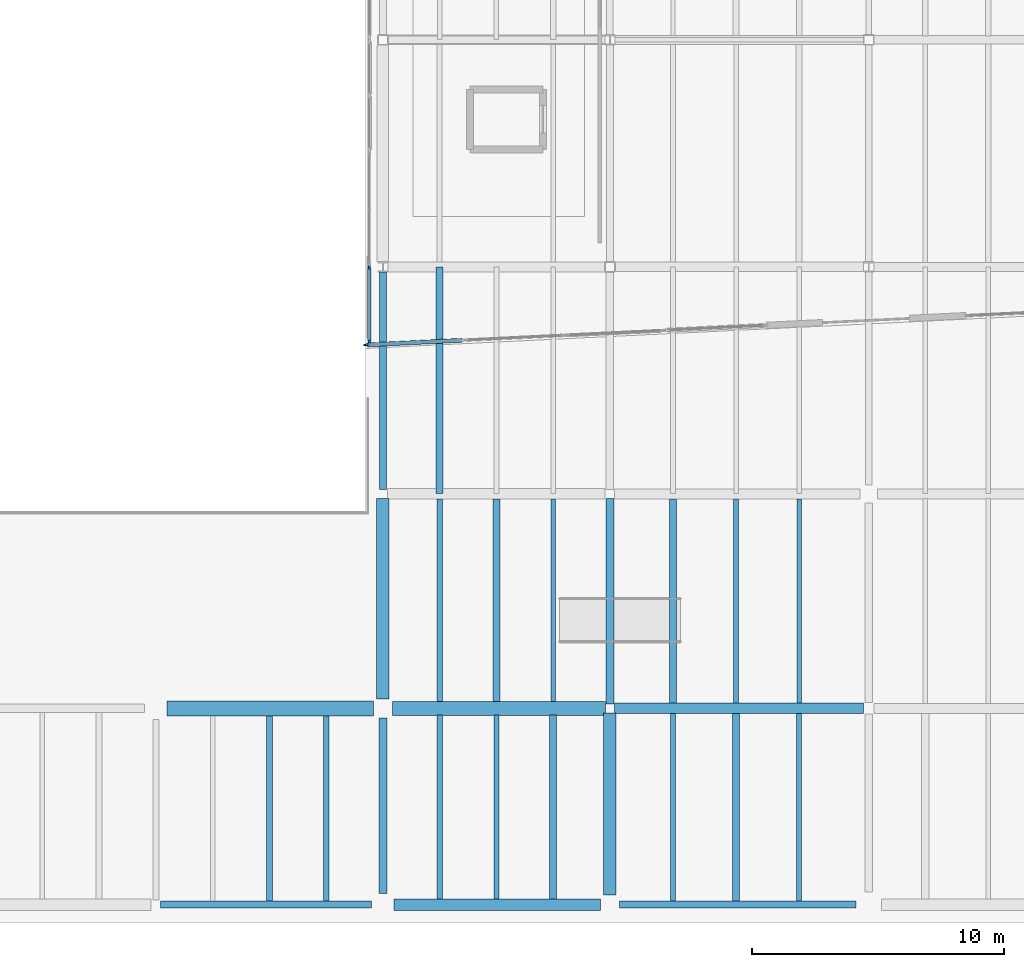
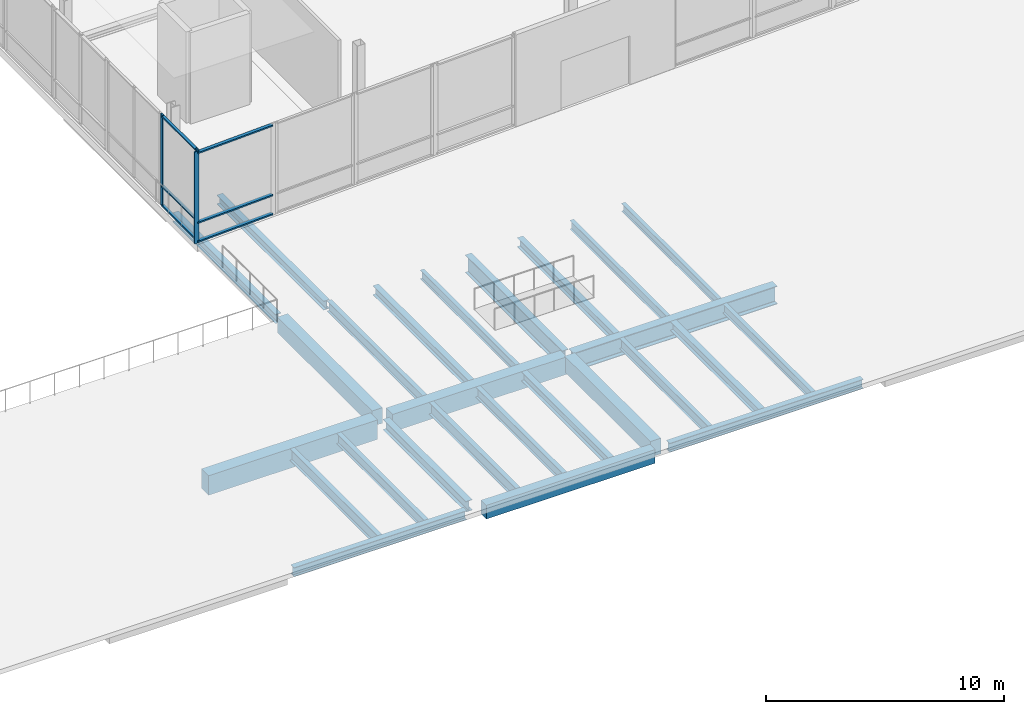
# One storey, part 20 of 88: 26 beams, 9 members, 2 elements without a shape of their own.
"""IFC4 building model written with IfcOpenShell, lengths in metres."""

from ifc_helpers import new_model, si_unit, direction, frame, origin, origin_2d, place, context, subcontext, project, spatial, rectangle, i_section, extrude, material, material_profile, profile_set, type_object, element, aggregate, save


model = new_model("IFC4")

# Units and contexts
model_context = context("Model", 3, precision=1e-05, world=origin(), true_north=direction((0.0, 1.0)))
body_context = subcontext(model_context, "Body", "Model", "MODEL_VIEW")
ifc_project = project(units=[si_unit("LENGTHUNIT", "METRE"), si_unit("AREAUNIT", "SQUARE_METRE"), si_unit("VOLUMEUNIT", "CUBIC_METRE"), si_unit("PLANEANGLEUNIT", "RADIAN"), si_unit("MASSUNIT", "GRAM", prefix="KILO")], contexts=[model_context])

# Site, building, storey
site_placement = place(None, origin())
site = spatial("IfcSite", under=ifc_project, at=site_placement, CompositionType="ELEMENT")
building_placement = place(site_placement, origin())
building = spatial("IfcBuilding", under=site, at=building_placement, Name="Trimount Lyric Opera House", CompositionType="ELEMENT")
storey_placement = place(building_placement, origin())
storey = spatial("IfcBuildingStorey", under=building, at=storey_placement, Name="L00", CompositionType="ELEMENT", Elevation=0.0)

# Beams
ifc_material_1 = material(Name="Steel ASTM A992 Grade 50", Category="steel")
ifc_material_profile_1 = material_profile(ifc_material_1, i_section(OverallWidth=0.4189453125, OverallDepth=0.927001953125, WebThickness=0.019287109375, FlangeThickness=0.031982421875, FilletRadius=0.02392578125, at=origin_2d()), Name="W36X231")
ifc_profile_set_1 = profile_set([ifc_material_profile_1], Name="Steel ASTM A992 Grade 50")
beam_type_1 = type_object("IfcBeamType", Name="B-02", PredefinedType="BEAM", material=ifc_profile_set_1)
beam_1_placement = place(storey_placement, frame((54.18408203125, 8.5, -0.70361328125), z_axis=(1.0, 0.0, 0.0), x_axis=(0.0, 1.0, 0.0)))
element("IfcBeam", 1, at=beam_1_placement, inside=storey, type_object=beam_type_1, Name="L00 girder X-0026", PredefinedType="BEAM", context=body_context, shape_type="SweptSolid", body=[
    extrude(i_section(OverallWidth=0.4189453125, OverallDepth=0.927001953125, WebThickness=0.019287109375, FlangeThickness=0.031982421875, FilletRadius=0.02392578125, at=origin_2d()), origin(), (0.0, 0.0, 1.0), 9.864990234375),
])
ifc_material_2 = material(Name="Steel ASTM A992 Grade 50", Category="steel")
ifc_material_profile_2 = material_profile(ifc_material_2, i_section(OverallWidth=0.304931640625, OverallDepth=0.9189453125, WebThickness=0.017333984375, FlangeThickness=0.02783203125, FilletRadius=0.02001953125, at=origin_2d()), Name="W36X170")
ifc_profile_set_2 = profile_set([ifc_material_profile_2], Name="Steel ASTM A992 Grade 50")
beam_type_2 = type_object("IfcBeamType", Name="B-03", PredefinedType="BEAM", material=ifc_profile_set_2)
beam_2_placement = place(storey_placement, frame((54.0, 8.677978515625, -0.699462890625), z_axis=(0.0, 1.0, 0.0), x_axis=(-1.0, 0.0, 0.0)))
element("IfcBeam", 2, at=beam_2_placement, inside=storey, type_object=beam_type_2, Name="L00 girder Y-0297", PredefinedType="BEAM", context=body_context, shape_type="SweptSolid", body=[
    extrude(i_section(OverallWidth=0.304931640625, OverallDepth=0.9189453125, WebThickness=0.017333984375, FlangeThickness=0.02783203125, FilletRadius=0.02001953125, at=origin_2d()), origin(), (0.0, 0.0, 1.0), 8.137939453125),
])
ifc_material_3 = material(Name="Steel ASTM A992 Grade 50", Category="steel")
ifc_material_profile_3 = material_profile(ifc_material_3, i_section(OverallWidth=0.31201171875, OverallDepth=0.5458984375, WebThickness=0.013916015625, FlangeThickness=0.022216796875, FilletRadius=0.014892578125, at=origin_2d()), Name="W21X111")
ifc_profile_set_3 = profile_set([ifc_material_profile_3], Name="Steel ASTM A992 Grade 50")
beam_type_3 = type_object("IfcBeamType", Name="B-12", PredefinedType="BEAM", material=ifc_profile_set_3)
beam_3_placement = place(storey_placement, frame((45.0, 1.169921875, -0.512939453125), z_axis=(0.0, 1.0, 0.0), x_axis=(-1.0, 0.0, 0.0)))
element("IfcBeam", 3, at=beam_3_placement, inside=storey, type_object=beam_type_3, Name="L00 girder Y-0283", PredefinedType="BEAM", context=body_context, shape_type="SweptSolid", body=[
    extrude(i_section(OverallWidth=0.31201171875, OverallDepth=0.5458984375, WebThickness=0.013916015625, FlangeThickness=0.022216796875, FilletRadius=0.014892578125, at=origin_2d()), origin(), (0.0, 0.0, 1.0), 6.955078125),
])
ifc_material_4 = material(Name="Concrete C40/50", Category="concrete")
ifc_material_profile_4 = material_profile(ifc_material_4, rectangle(XDim=0.60009765625, YDim=1.0, at=origin_2d()), Name="RC600X1000")
ifc_profile_set_4 = profile_set([ifc_material_profile_4], Name="Concrete C40/50")
beam_type_4 = type_object("IfcBeamType", Name="B-13", PredefinedType="BEAM", material=ifc_profile_set_4)
beam_4_placement = place(storey_placement, frame((36.449951171875, 8.5, -0.739990234375), z_axis=(1.0, 0.0, 0.0), x_axis=(0.0, 1.0, 0.0)))
element("IfcBeam", 4, at=beam_4_placement, inside=storey, type_object=beam_type_4, Name="L00 girder X-0024", PredefinedType="BEAM", context=body_context, shape_type="SweptSolid", body=[
    extrude(rectangle(XDim=0.60009765625, YDim=1.0, at=origin_2d()), origin(), (0.0, 0.0, 1.0), 8.175048828125),
])
ifc_material_5 = material(Name="Concrete C40/50", Category="concrete")
ifc_material_profile_5 = material_profile(ifc_material_5, rectangle(XDim=0.550048828125, YDim=0.89990234375, at=origin_2d()), Name="RC550X900")
ifc_profile_set_5 = profile_set([ifc_material_profile_5], Name="Concrete C40/50")
beam_type_5 = type_object("IfcBeamType", Name="B-14", PredefinedType="BEAM", material=ifc_profile_set_5)
beam_5_placement = place(storey_placement, frame((45.375, 8.5, -0.68994140625), z_axis=(1.0, 0.0, 0.0), x_axis=(0.0, 1.0, 0.0)))
element("IfcBeam", 5, at=beam_5_placement, inside=storey, type_object=beam_type_5, Name="L00 girder X-0025", PredefinedType="BEAM", context=body_context, shape_type="SweptSolid", body=[
    extrude(rectangle(XDim=0.550048828125, YDim=0.89990234375, at=origin_2d()), origin(), (0.0, 0.0, 1.0), 8.44091796875),
])
ifc_material_6 = material(Name="Concrete C40/50", Category="concrete")
ifc_material_profile_6 = material_profile(ifc_material_6, rectangle(XDim=0.5, YDim=0.800048828125, at=origin_2d()), Name="RC500X800")
ifc_profile_set_6 = profile_set([ifc_material_profile_6], Name="Concrete C40/50")
beam_type_6 = type_object("IfcBeamType", Name="B-15", PredefinedType="BEAM", material=ifc_profile_set_6)
beam_6_placement = place(storey_placement, frame((45.0, 8.875, -0.639892578125), z_axis=(0.0, 1.0, 0.0), x_axis=(-1.0, 0.0, 0.0)))
element("IfcBeam", 6, at=beam_6_placement, inside=storey, type_object=beam_type_6, Name="L00 girder Y-0284", PredefinedType="BEAM", context=body_context, shape_type="SweptSolid", body=[
    extrude(rectangle(XDim=0.5, YDim=0.800048828125, at=origin_2d()), origin(), (0.0, 0.0, 1.0), 7.947021484375),
])
beam_7_placement = place(storey_placement, frame((54.0, 1.094970703125, -0.639892578125), z_axis=(0.0, 1.0, 0.0), x_axis=(-1.0, 0.0, 0.0)))
element("IfcBeam", 7, at=beam_7_placement, inside=storey, type_object=beam_type_6, Name="L00 girder Y-0296", PredefinedType="BEAM", context=body_context, shape_type="SweptSolid", body=[
    extrude(rectangle(XDim=0.5, YDim=0.800048828125, at=origin_2d()), origin(), (0.0, 0.0, 1.0), 7.22705078125),
])
ifc_material_7 = material(Name="Steel ASTM A992 Grade 50", Category="steel")
ifc_material_profile_7 = material_profile(ifc_material_7, i_section(OverallWidth=0.22802734375, OverallDepth=0.60205078125, WebThickness=0.010498046875, FlangeThickness=0.014892578125, FilletRadius=0.012939453125, at=origin_2d()), Name="W24X68")
ifc_profile_set_7 = profile_set([ifc_material_profile_7], Name="Steel ASTM A992 Grade 50")
beam_type_7 = type_object("IfcBeamType", Name="J-01", PredefinedType="BEAM", material=ifc_profile_set_7)
beam_8_placement = place(storey_placement, frame((40.5, 0.85693359375, -0.541015625), z_axis=(0.0, 1.0, 0.0), x_axis=(-1.0, 0.0, 0.0)))
element("IfcBeam", 8, at=beam_8_placement, inside=storey, type_object=beam_type_7, Name="L00 composite floor joist 0099", PredefinedType="BEAM", context=body_context, shape_type="SweptSolid", body=[
    extrude(i_section(OverallWidth=0.22802734375, OverallDepth=0.60205078125, WebThickness=0.010498046875, FlangeThickness=0.014892578125, FilletRadius=0.012939453125, at=origin_2d()), origin(), (0.0, 0.0, 1.0), 7.34716796875),
])
beam_9_placement = place(storey_placement, frame((47.25, 0.94091796875, -0.541015625), z_axis=(0.0, 1.0, 0.0), x_axis=(-1.0, 0.0, 0.0)))
element("IfcBeam", 9, at=beam_9_placement, inside=storey, type_object=beam_type_7, Name="L00 composite floor joist 0116", PredefinedType="BEAM", context=body_context, shape_type="SweptSolid", body=[
    extrude(i_section(OverallWidth=0.22802734375, OverallDepth=0.60205078125, WebThickness=0.010498046875, FlangeThickness=0.014892578125, FilletRadius=0.012939453125, at=origin_2d()), origin(), (0.0, 0.0, 1.0), 7.2880859375),
])
ifc_material_8 = material(Name="Steel ASTM A992 Grade 50", Category="steel")
ifc_material_profile_8 = material_profile(ifc_material_8, i_section(OverallWidth=0.2099609375, OverallDepth=0.532958984375, WebThickness=0.01025390625, FlangeThickness=0.015625, FilletRadius=0.012939453125, at=origin_2d()), Name="W21X62")
ifc_profile_set_8 = profile_set([ifc_material_profile_8], Name="Steel ASTM A992 Grade 50")
beam_type_8 = type_object("IfcBeamType", Name="J-02", PredefinedType="BEAM", material=ifc_profile_set_8)
beam_10_placement = place(storey_placement, frame((42.75, 0.85693359375, -0.506591796875), z_axis=(0.0, 1.0, 0.0), x_axis=(-1.0, 0.0, 0.0)))
element("IfcBeam", 10, at=beam_10_placement, inside=storey, type_object=beam_type_8, Name="L00 composite floor joist 0100", PredefinedType="BEAM", context=body_context, shape_type="SweptSolid", body=[
    extrude(i_section(OverallWidth=0.2099609375, OverallDepth=0.532958984375, WebThickness=0.01025390625, FlangeThickness=0.015625, FilletRadius=0.012939453125, at=origin_2d()), origin(), (0.0, 0.0, 1.0), 7.34716796875),
])
beam_11_placement = place(storey_placement, frame((49.5, 0.94091796875, -0.506591796875), z_axis=(0.0, 1.0, 0.0), x_axis=(-1.0, 0.0, 0.0)))
element("IfcBeam", 11, at=beam_11_placement, inside=storey, type_object=beam_type_8, Name="L00 composite floor joist 0117", PredefinedType="BEAM", context=body_context, shape_type="SweptSolid", body=[
    extrude(i_section(OverallWidth=0.2099609375, OverallDepth=0.532958984375, WebThickness=0.01025390625, FlangeThickness=0.015625, FilletRadius=0.012939453125, at=origin_2d()), origin(), (0.0, 0.0, 1.0), 7.2880859375),
])
beam_12_placement = place(storey_placement, frame((47.25, 8.77099609375, -0.506591796875), z_axis=(0.0, 1.0, 0.0), x_axis=(-1.0, 0.0, 0.0)))
element("IfcBeam", 12, at=beam_12_placement, inside=storey, type_object=beam_type_8, Name="L00 composite floor joist 0119", PredefinedType="BEAM", context=body_context, shape_type="SweptSolid", body=[
    extrude(i_section(OverallWidth=0.2099609375, OverallDepth=0.532958984375, WebThickness=0.01025390625, FlangeThickness=0.015625, FilletRadius=0.012939453125, at=origin_2d()), origin(), (0.0, 0.0, 1.0), 8.0234375),
])
beam_13_placement = place(storey_placement, frame((56.5, 0.85693359375, -0.506591796875), z_axis=(0.0, 1.0, 0.0), x_axis=(-1.0, 0.0, 0.0)))
element("IfcBeam", 13, at=beam_13_placement, inside=storey, type_object=beam_type_8, Name="L00 composite floor joist 0154", PredefinedType="BEAM", context=body_context, shape_type="SweptSolid", body=[
    extrude(i_section(OverallWidth=0.2099609375, OverallDepth=0.532958984375, WebThickness=0.01025390625, FlangeThickness=0.015625, FilletRadius=0.012939453125, at=origin_2d()), origin(), (0.0, 0.0, 1.0), 7.4375),
])
ifc_material_9 = material(Name="Steel ASTM A992 Grade 50", Category="steel")
ifc_material_profile_9 = material_profile(ifc_material_9, i_section(OverallWidth=0.281982421875, OverallDepth=0.467041015625, WebThickness=0.01220703125, FlangeThickness=0.01953125, FilletRadius=0.012939453125, at=origin_2d()), Name="W18X86")
ifc_profile_set_9 = profile_set([ifc_material_profile_9], Name="Steel ASTM A992 Grade 50")
beam_type_9 = type_object("IfcBeamType", Name="J-03", PredefinedType="BEAM", material=ifc_profile_set_9)
beam_14_placement = place(storey_placement, frame((51.75, 0.94091796875, -0.473388671875), z_axis=(0.0, 1.0, 0.0), x_axis=(-1.0, 0.0, 0.0)))
element("IfcBeam", 14, at=beam_14_placement, inside=storey, type_object=beam_type_9, Name="L00 composite floor joist 0118", PredefinedType="BEAM", context=body_context, shape_type="SweptSolid", body=[
    extrude(i_section(OverallWidth=0.281982421875, OverallDepth=0.467041015625, WebThickness=0.01220703125, FlangeThickness=0.01953125, FilletRadius=0.012939453125, at=origin_2d()), origin(), (0.0, 0.0, 1.0), 7.2880859375),
])
beam_15_placement = place(storey_placement, frame((49.5, 8.77099609375, -0.473388671875), z_axis=(0.0, 1.0, 0.0), x_axis=(-1.0, 0.0, 0.0)))
element("IfcBeam", 15, at=beam_15_placement, inside=storey, type_object=beam_type_9, Name="L00 composite floor joist 0120", PredefinedType="BEAM", context=body_context, shape_type="SweptSolid", body=[
    extrude(i_section(OverallWidth=0.281982421875, OverallDepth=0.467041015625, WebThickness=0.01220703125, FlangeThickness=0.01953125, FilletRadius=0.012939453125, at=origin_2d()), origin(), (0.0, 0.0, 1.0), 8.0234375),
])
beam_16_placement = place(storey_placement, frame((47.25, 17.011962890625, -0.613525390625), z_axis=(0.0, 1.0, 0.0), x_axis=(-1.0, 0.0, 0.0)))
element("IfcBeam", 16, at=beam_16_placement, inside=storey, type_object=beam_type_9, Name="L00 composite floor joist 0122", PredefinedType="BEAM", context=body_context, shape_type="SweptSolid", body=[
    extrude(i_section(OverallWidth=0.281982421875, OverallDepth=0.467041015625, WebThickness=0.01220703125, FlangeThickness=0.01953125, FilletRadius=0.012939453125, at=origin_2d()), origin(), (0.0, 0.0, 1.0), 8.97607421875),
])
beam_17_placement = place(storey_placement, frame((59.0, 0.85693359375, -0.473388671875), z_axis=(0.0, 1.0, 0.0), x_axis=(-1.0, 0.0, 0.0)))
element("IfcBeam", 17, at=beam_17_placement, inside=storey, type_object=beam_type_9, Name="L00 composite floor joist 0155", PredefinedType="BEAM", context=body_context, shape_type="SweptSolid", body=[
    extrude(i_section(OverallWidth=0.281982421875, OverallDepth=0.467041015625, WebThickness=0.01220703125, FlangeThickness=0.01953125, FilletRadius=0.012939453125, at=origin_2d()), origin(), (0.0, 0.0, 1.0), 7.4375),
])
beam_18_placement = place(storey_placement, frame((56.5, 8.70556640625, -0.473388671875), z_axis=(0.0, 1.0, 0.0), x_axis=(-1.0, 0.0, 0.0)))
element("IfcBeam", 18, at=beam_18_placement, inside=storey, type_object=beam_type_9, Name="L00 composite floor joist 0157", PredefinedType="BEAM", context=body_context, shape_type="SweptSolid", body=[
    extrude(i_section(OverallWidth=0.281982421875, OverallDepth=0.467041015625, WebThickness=0.01220703125, FlangeThickness=0.01953125, FilletRadius=0.012939453125, at=origin_2d()), origin(), (0.0, 0.0, 1.0), 8.097900390625),
])
ifc_material_10 = material(Name="Steel ASTM A992 Grade 50", Category="steel")
ifc_material_profile_10 = material_profile(ifc_material_10, i_section(OverallWidth=0.19091796875, OverallDepth=0.45703125, WebThickness=0.009033203125, FlangeThickness=0.014404296875, FilletRadius=0.010986328125, at=origin_2d()), Name="W18X50")
ifc_profile_set_10 = profile_set([ifc_material_profile_10], Name="Steel ASTM A992 Grade 50")
beam_type_10 = type_object("IfcBeamType", Name="J-04", PredefinedType="BEAM", material=ifc_profile_set_10)
beam_19_placement = place(storey_placement, frame((51.75, 8.77099609375, -0.468505859375), z_axis=(0.0, 1.0, 0.0), x_axis=(-1.0, 0.0, 0.0)))
element("IfcBeam", 19, at=beam_19_placement, inside=storey, type_object=beam_type_10, Name="L00 composite floor joist 0121", PredefinedType="BEAM", context=body_context, shape_type="SweptSolid", body=[
    extrude(i_section(OverallWidth=0.19091796875, OverallDepth=0.45703125, WebThickness=0.009033203125, FlangeThickness=0.014404296875, FilletRadius=0.010986328125, at=origin_2d()), origin(), (0.0, 0.0, 1.0), 8.0234375),
])
beam_20_placement = place(storey_placement, frame((61.5, 0.85693359375, -0.468505859375), z_axis=(0.0, 1.0, 0.0), x_axis=(-1.0, 0.0, 0.0)))
element("IfcBeam", 20, at=beam_20_placement, inside=storey, type_object=beam_type_10, Name="L00 composite floor joist 0156", PredefinedType="BEAM", context=body_context, shape_type="SweptSolid", body=[
    extrude(i_section(OverallWidth=0.19091796875, OverallDepth=0.45703125, WebThickness=0.009033203125, FlangeThickness=0.014404296875, FilletRadius=0.010986328125, at=origin_2d()), origin(), (0.0, 0.0, 1.0), 7.4375),
])
beam_21_placement = place(storey_placement, frame((59.0, 8.70556640625, -0.468505859375), z_axis=(0.0, 1.0, 0.0), x_axis=(-1.0, 0.0, 0.0)))
element("IfcBeam", 21, at=beam_21_placement, inside=storey, type_object=beam_type_10, Name="L00 composite floor joist 0158", PredefinedType="BEAM", context=body_context, shape_type="SweptSolid", body=[
    extrude(i_section(OverallWidth=0.19091796875, OverallDepth=0.45703125, WebThickness=0.009033203125, FlangeThickness=0.014404296875, FilletRadius=0.010986328125, at=origin_2d()), origin(), (0.0, 0.0, 1.0), 8.097900390625),
])
ifc_material_11 = material(Name="Steel ASTM A992 Grade 50", Category="steel")
ifc_material_profile_11 = material_profile(ifc_material_11, i_section(OverallWidth=0.180908203125, OverallDepth=0.4169921875, WebThickness=0.010986328125, FlangeThickness=0.018310546875, FilletRadius=0.010986328125, at=origin_2d()), Name="W16X57")
ifc_profile_set_11 = profile_set([ifc_material_profile_11], Name="Steel ASTM A992 Grade 50")
beam_type_11 = type_object("IfcBeamType", Name="J-05", PredefinedType="BEAM", material=ifc_profile_set_11)
beam_22_placement = place(storey_placement, frame((61.5, 8.70556640625, -0.448486328125), z_axis=(0.0, 1.0, 0.0), x_axis=(-1.0, 0.0, 0.0)))
element("IfcBeam", 22, at=beam_22_placement, inside=storey, type_object=beam_type_11, Name="L00 composite floor joist 0159", PredefinedType="BEAM", context=body_context, shape_type="SweptSolid", body=[
    extrude(i_section(OverallWidth=0.180908203125, OverallDepth=0.4169921875, WebThickness=0.010986328125, FlangeThickness=0.018310546875, FilletRadius=0.010986328125, at=origin_2d()), origin(), (0.0, 0.0, 1.0), 8.097900390625),
])

# Curtain wall, member
ifc_material_12 = material(Name="Thermally Broken Aluminium and Low-E Glass", Category="aluminium")
curtain_wall_type = type_object("IfcCurtainWallType", Name="CW-01", PredefinedType="NOTDEFINED", material=ifc_material_12)
curtain_wall_1_placement = place(storey_placement, origin())
curtain_wall_1 = element("IfcCurtainWall", 23, at=curtain_wall_1_placement, inside=storey, type_object=curtain_wall_type, Name="L00 curtain wall 027", PredefinedType="NOTDEFINED")
ifc_material_13 = material(Name="Anodised Aluminium 6063-T6", Category="aluminium")
ifc_material_profile_12 = material_profile(ifc_material_13, rectangle(XDim=0.070068359375, YDim=0.219970703125, at=origin_2d()), Name="ALU-MULL-70X220")
ifc_profile_set_12 = profile_set([ifc_material_profile_12], Name="Anodised Aluminium 6063-T6")
member_type_1 = type_object("IfcMemberType", Name="ML-01", PredefinedType="MULLION", material=ifc_profile_set_12)
member_1_placement = place(storey_placement, frame((44.347900390625, 22.90869140625, 0.0), z_axis=(0.0, 0.0, 1.0), x_axis=(0.048678684537, -0.998814490119, 0.0)))
member_1 = element("IfcMember", 24, at=member_1_placement, type_object=member_type_1, Name="CW-01 mullion 2", PredefinedType="MULLION", context=body_context, shape_type="SweptSolid", body=[
    extrude(rectangle(XDim=0.070068359375, YDim=0.219970703125, at=origin_2d()), origin(), (0.0, 0.0, 1.0), 4.699951171875),
])

# Curtain wall, members
curtain_wall_2_placement = place(storey_placement, origin())
curtain_wall_2 = element("IfcCurtainWall", 25, at=curtain_wall_2_placement, inside=storey, type_object=curtain_wall_type, Name="L00 curtain wall 028", PredefinedType="NOTDEFINED")
ifc_material_14 = material(Name="Anodised Aluminium 6063-T6", Category="aluminium")
ifc_material_profile_13 = material_profile(ifc_material_14, rectangle(XDim=0.06494140625, YDim=0.179931640625, at=origin_2d()), Name="ALU-MULL-65X180")
ifc_profile_set_13 = profile_set([ifc_material_profile_13], Name="Anodised Aluminium 6063-T6")
member_type_2 = type_object("IfcMemberType", Name="ML-02", PredefinedType="MULLION", material=ifc_profile_set_13)
member_2_placement = place(storey_placement, frame((44.4599609375, 23.03662109375, 0.0), z_axis=(0.0, 0.0, 1.0), x_axis=(-1.0, 0.0, 0.0)))
member_2 = element("IfcMember", 26, at=member_2_placement, type_object=member_type_2, Name="CW-01 mullion 1", PredefinedType="MULLION", context=body_context, shape_type="SweptSolid", body=[
    extrude(rectangle(XDim=0.06494140625, YDim=0.179931640625, at=origin_2d()), origin(), (0.0, 0.0, 1.0), 4.699951171875),
])
member_3_placement = place(storey_placement, frame((44.4599609375, 25.967529296875, 0.0), z_axis=(0.0, 0.0, 1.0), x_axis=(-1.0, 0.0, 0.0)))
member_3 = element("IfcMember", 27, at=member_3_placement, type_object=member_type_2, Name="CW-01 mullion 2", PredefinedType="MULLION", context=body_context, shape_type="SweptSolid", body=[
    extrude(rectangle(XDim=0.06494140625, YDim=0.179931640625, at=origin_2d()), origin(), (0.0, 0.0, 1.0), 4.699951171875),
])

# Beams
ifc_material_15 = material(Name="Steel ASTM A992 Grade 50", Category="steel")
ifc_material_profile_14 = material_profile(ifc_material_15, i_section(OverallWidth=0.281982421875, OverallDepth=0.467041015625, WebThickness=0.01220703125, FlangeThickness=0.01953125, FilletRadius=0.012939453125, at=origin_2d()), Name="W18X86")
ifc_profile_set_14 = profile_set([ifc_material_profile_14], Name="Steel ASTM A992 Grade 50")
beam_type_12 = type_object("IfcBeamType", Name="SP-01", PredefinedType="SPANDREL", material=ifc_profile_set_14)
beam_23_placement = place(storey_placement, frame((36.1865234375, 0.719970703125, -0.473388671875), z_axis=(1.0, 0.0, 0.0), x_axis=(0.0, 1.0, 0.0)))
element("IfcBeam", 28, at=beam_23_placement, inside=storey, type_object=beam_type_12, Name="L00 girder X-0005", PredefinedType="SPANDREL", context=body_context, shape_type="SweptSolid", body=[
    extrude(i_section(OverallWidth=0.281982421875, OverallDepth=0.467041015625, WebThickness=0.01220703125, FlangeThickness=0.01953125, FilletRadius=0.012939453125, at=origin_2d()), origin(), (0.0, 0.0, 1.0), 8.363525390625),
])
beam_24_placement = place(storey_placement, frame((54.375, 0.719970703125, -0.473388671875), z_axis=(1.0, 0.0, 0.0), x_axis=(0.0, 1.0, 0.0)))
element("IfcBeam", 29, at=beam_24_placement, inside=storey, type_object=beam_type_12, Name="L00 girder X-0007", PredefinedType="SPANDREL", context=body_context, shape_type="SweptSolid", body=[
    extrude(i_section(OverallWidth=0.281982421875, OverallDepth=0.467041015625, WebThickness=0.01220703125, FlangeThickness=0.01953125, FilletRadius=0.012939453125, at=origin_2d()), origin(), (0.0, 0.0, 1.0), 9.385009765625),
])
beam_25_placement = place(storey_placement, frame((45.0, 17.177978515625, -0.613525390625), z_axis=(0.0, 1.0, 0.0), x_axis=(-1.0, 0.0, 0.0)))
element("IfcBeam", 30, at=beam_25_placement, inside=storey, type_object=beam_type_12, Name="L00 girder Y-0285", PredefinedType="SPANDREL", context=body_context, shape_type="SweptSolid", body=[
    extrude(i_section(OverallWidth=0.281982421875, OverallDepth=0.467041015625, WebThickness=0.01220703125, FlangeThickness=0.01953125, FilletRadius=0.012939453125, at=origin_2d()), origin(), (0.0, 0.0, 1.0), 8.613525390625),
])
ifc_material_16 = material(Name="Concrete C40/50", Category="concrete")
ifc_material_profile_15 = material_profile(ifc_material_16, rectangle(XDim=0.449951171875, YDim=0.699951171875, at=origin_2d()), Name="RC450X700")
ifc_profile_set_15 = profile_set([ifc_material_profile_15], Name="Concrete C40/50")
beam_type_13 = type_object("IfcBeamType", Name="SP-02", PredefinedType="SPANDREL", material=ifc_profile_set_15)
beam_26_placement = place(storey_placement, frame((45.449951171875, 0.719970703125, -0.590087890625), z_axis=(1.0, 0.0, 0.0), x_axis=(0.0, 1.0, 0.0)))
element("IfcBeam", 31, at=beam_26_placement, inside=storey, type_object=beam_type_13, Name="L00 girder X-0006", PredefinedType="SPANDREL", context=body_context, shape_type="SweptSolid", body=[
    extrude(rectangle(XDim=0.449951171875, YDim=0.699951171875, at=origin_2d()), origin(), (0.0, 0.0, 1.0), 8.175048828125),
])

# Member
ifc_material_17 = material(Name="Anodised Aluminium 6063-T6", Category="aluminium")
ifc_material_profile_16 = material_profile(ifc_material_17, rectangle(XDim=0.159912109375, YDim=0.070068359375, at=origin_2d()), Name="ALU-TRAN-70X160")
ifc_profile_set_16 = profile_set([ifc_material_profile_16], Name="Anodised Aluminium 6063-T6")
member_type_3 = type_object("IfcMemberType", Name="TR-01", PredefinedType="USERDEFINED", material=ifc_profile_set_16)
member_4_placement = place(storey_placement, frame((48.12109375, 23.092529296875, 0.080078125), z_axis=(-0.998815291468, -0.048662239253, 0.0), x_axis=(0.048662239253, -0.998815291468, 0.0)))
member_4 = element("IfcMember", 32, at=member_4_placement, type_object=member_type_3, Name="CW-01 transom 1.1", ObjectType="TRANSOM", PredefinedType="USERDEFINED", context=body_context, shape_type="SweptSolid", body=[
    extrude(rectangle(XDim=0.159912109375, YDim=0.070068359375, at=origin_2d()), origin(), (0.0, 0.0, 1.0), 3.74267578125),
])

member_5_placement = place(storey_placement, frame((48.12109375, 23.092529296875, 1.050048828125), z_axis=(-0.998815291468, -0.048662239253, 0.0), x_axis=(0.048662239253, -0.998815291468, 0.0)))
member_5 = element("IfcMember", 33, at=member_5_placement, type_object=member_type_3, Name="CW-01 transom 1.2", ObjectType="TRANSOM", PredefinedType="USERDEFINED", context=body_context, shape_type="SweptSolid", body=[
    extrude(rectangle(XDim=0.159912109375, YDim=0.070068359375, at=origin_2d()), origin(), (0.0, 0.0, 1.0), 3.74267578125),
])

member_6_placement = place(storey_placement, frame((48.12109375, 23.092529296875, 4.6201171875), z_axis=(-0.998815291468, -0.048662239253, 0.0), x_axis=(0.048662239253, -0.998815291468, 0.0)))
member_6 = element("IfcMember", 34, at=member_6_placement, type_object=member_type_3, Name="CW-01 transom 1.3", ObjectType="TRANSOM", PredefinedType="USERDEFINED", context=body_context, shape_type="SweptSolid", body=[
    extrude(rectangle(XDim=0.159912109375, YDim=0.070068359375, at=origin_2d()), origin(), (0.0, 0.0, 1.0), 3.74267578125),
])

aggregate(curtain_wall_1, [member_1, member_4, member_5, member_6])

ifc_material_18 = material(Name="Anodised Aluminium 6063-T6", Category="aluminium")
ifc_material_profile_17 = material_profile(ifc_material_18, rectangle(XDim=0.135009765625, YDim=0.06494140625, at=origin_2d()), Name="ALU-TRAN-65X135")
ifc_profile_set_17 = profile_set([ifc_material_profile_17], Name="Anodised Aluminium 6063-T6")
member_type_4 = type_object("IfcMemberType", Name="TR-02", PredefinedType="USERDEFINED", material=ifc_profile_set_17)
member_7_placement = place(storey_placement, frame((44.4599609375, 23.069091796875, 0.0673828125), z_axis=(0.0, 1.0, 0.0), x_axis=(-1.0, 0.0, 0.0)))
member_7 = element("IfcMember", 35, at=member_7_placement, type_object=member_type_4, Name="CW-01 transom 1.1", ObjectType="TRANSOM", PredefinedType="USERDEFINED", context=body_context, shape_type="SweptSolid", body=[
    extrude(rectangle(XDim=0.135009765625, YDim=0.06494140625, at=origin_2d()), origin(), (0.0, 0.0, 1.0), 2.865966796875),
])

member_8_placement = place(storey_placement, frame((44.4599609375, 23.069091796875, 1.050048828125), z_axis=(0.0, 1.0, 0.0), x_axis=(-1.0, 0.0, 0.0)))
member_8 = element("IfcMember", 36, at=member_8_placement, type_object=member_type_4, Name="CW-01 transom 1.2", ObjectType="TRANSOM", PredefinedType="USERDEFINED", context=body_context, shape_type="SweptSolid", body=[
    extrude(rectangle(XDim=0.135009765625, YDim=0.06494140625, at=origin_2d()), origin(), (0.0, 0.0, 1.0), 2.865966796875),
])

member_9_placement = place(storey_placement, frame((44.4599609375, 23.069091796875, 4.632568359375), z_axis=(0.0, 1.0, 0.0), x_axis=(-1.0, 0.0, 0.0)))
member_9 = element("IfcMember", 37, at=member_9_placement, type_object=member_type_4, Name="CW-01 transom 1.3", ObjectType="TRANSOM", PredefinedType="USERDEFINED", context=body_context, shape_type="SweptSolid", body=[
    extrude(rectangle(XDim=0.135009765625, YDim=0.06494140625, at=origin_2d()), origin(), (0.0, 0.0, 1.0), 2.865966796875),
])

aggregate(curtain_wall_2, [member_2, member_3, member_7, member_8, member_9])

save(model, "model.ifc")
